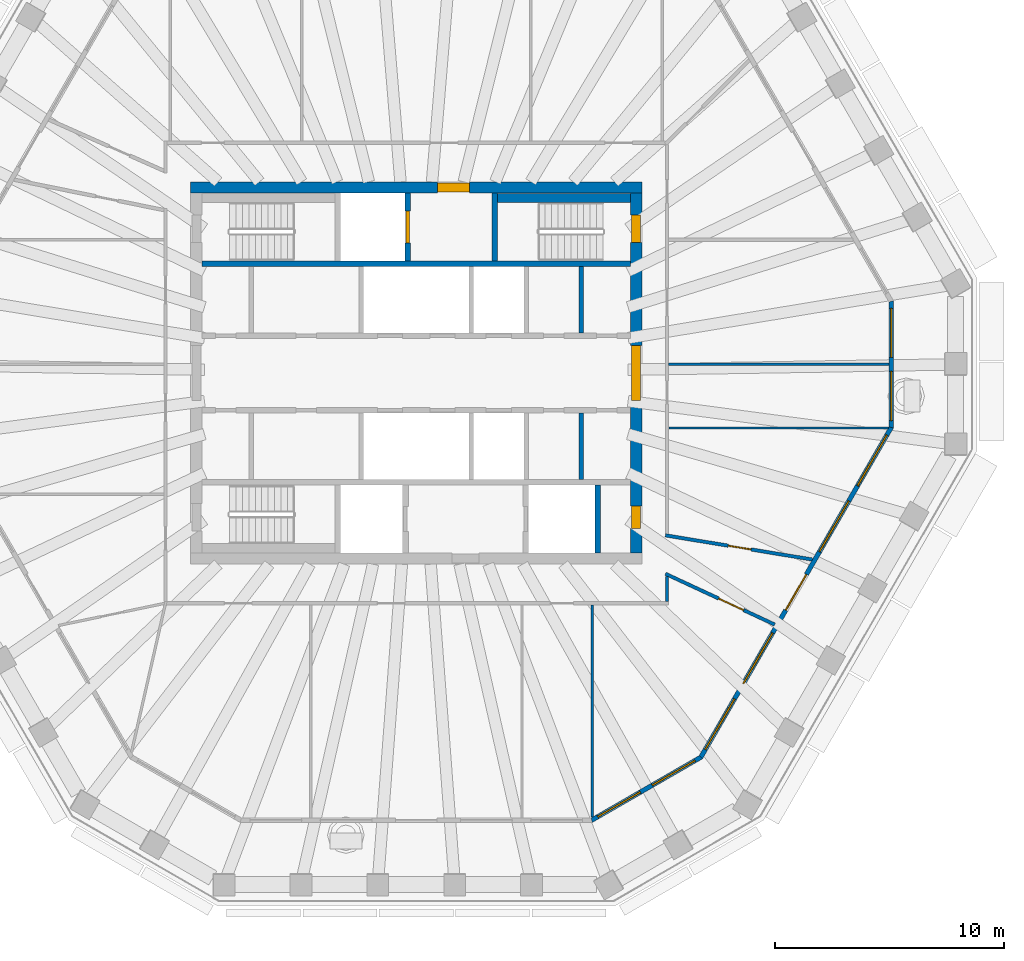
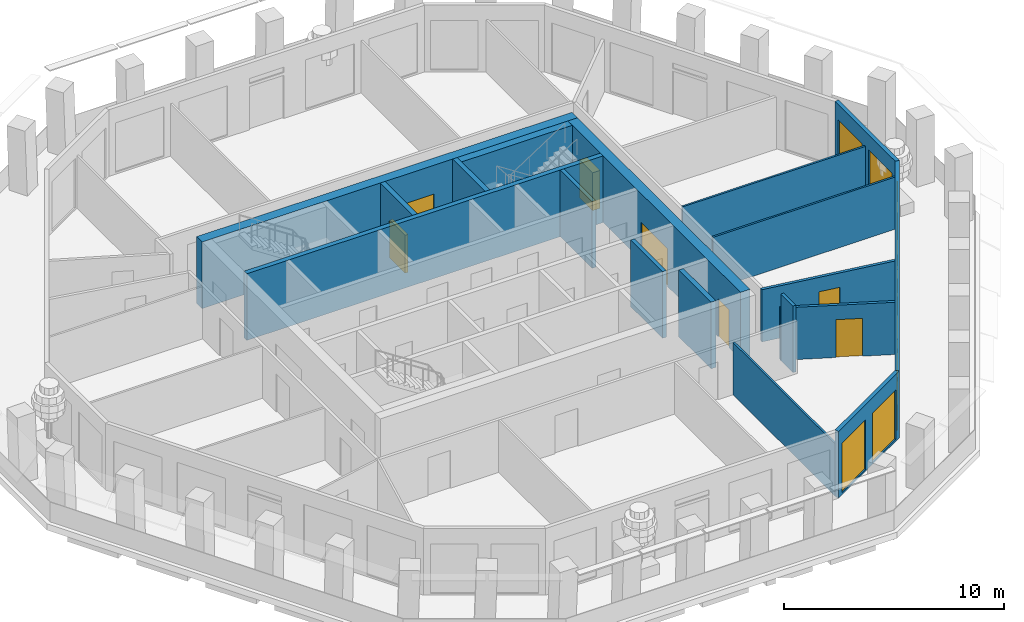
# One storey, part 5 of 11: 18 walls, 9 windows, 8 doors, 17 openings.
"""IFC4 building model written with IfcOpenShell, lengths in metres."""

from ifc_helpers import new_model, si_unit, direction, frame, frame_2d, origin, place, context, subcontext, project, spatial, polyline, rectangle, outline, extrude, material, layer, layer_set, type_object, element, fill, save


model = new_model("IFC4")

# Units and contexts
model_context = context("Model", 3, precision=1e-05, world=origin(), true_north=direction((0.0, 1.0)))
body_context = subcontext(model_context, "Body", "Model", "MODEL_VIEW")
ifc_project = project(units=[si_unit("LENGTHUNIT", "METRE"), si_unit("AREAUNIT", "SQUARE_METRE"), si_unit("VOLUMEUNIT", "CUBIC_METRE"), si_unit("PLANEANGLEUNIT", "RADIAN"), si_unit("MASSUNIT", "GRAM", prefix="KILO")], contexts=[model_context])

# Site, building, storey
site_placement = place(None, origin())
site = spatial("IfcSite", under=ifc_project, at=site_placement, CompositionType="ELEMENT")
building_placement = place(site_placement, origin())
building = spatial("IfcBuilding", under=site, at=building_placement, Name="Frailejon Research Tower", CompositionType="ELEMENT")
storey_placement = place(building_placement, frame((0.0, 0.0, 275.0)))
storey = spatial("IfcBuildingStorey", under=building, at=storey_placement, Name="L60", CompositionType="ELEMENT", Elevation=275.0)

# Wall, opening, door
ifc_material_1 = material(Name="Concrete C50/60", Category="concrete")
ifc_layer_1 = layer(ifc_material_1, 0.5)
ifc_layer_set_1 = layer_set([ifc_layer_1], Name="Core shear wall 500 C50/60")
wall_type_1 = type_object("IfcWallType", Name="Core shear wall 500 C50/60", PredefinedType="SHEAR", material=ifc_layer_set_1)
wall_1_placement = place(storey_placement, frame((-9.85009765625, 8.10009765625, 0.0), z_axis=(0.0, 0.0, 1.0), x_axis=(1.0, 0.0, 0.0)))
wall_1 = element("IfcWall", 1, at=wall_1_placement, inside=storey, type_object=wall_type_1, Name="Core shear wall", PredefinedType="SHEAR", context=body_context, shape_type="SweptSolid", body=[
    extrude(rectangle(XDim=19.7001953125, YDim=0.5, at=frame_2d((9.85009765625, 0.0))), origin(), (0.0, 0.0, 1.0), 3.699951171875),
])
opening_1_placement = place(wall_1_placement, frame((10.77490234375, 0.0, 0.0)))
opening_1 = element("IfcOpeningElement", 2, at=opening_1_placement, cuts=wall_1, Name="Opening D9", PredefinedType="OPENING", context=body_context, shape_type="SweptSolid", body=[
    extrude(rectangle(XDim=1.39990234375, YDim=2.10009765625, at=frame_2d((0.699951171875, 1.050048828125))), frame((0.0, 0.260009765625, 0.0), z_axis=(0.0, -1.0, 0.0), x_axis=(1.0, 0.0, 0.0)), (0.0, 0.0, 1.0), 0.52001953125),
])
ifc_material_2 = material(Name="Steel", Category="steel")
door_type_1 = type_object("IfcDoorType", Name="Goods lobby door", OperationType="DOUBLE_DOOR_SINGLE_SWING", PredefinedType="DOOR", material=ifc_material_2)
door_1_placement = place(opening_1_placement, origin())
door_1 = element("IfcDoor", 3, at=door_1_placement, inside=storey, type_object=door_type_1, Name="Goods lobby door", OperationType="DOUBLE_DOOR_SINGLE_SWING", OverallHeight=2.10009765625, OverallWidth=1.39990234375, PredefinedType="DOOR", context=body_context, shape_type="SweptSolid", body=[
    extrude(rectangle(XDim=1.39990234375, YDim=2.10009765625, at=frame_2d((0.699951171875, 1.050048828125))), frame((0.0, 0.199951171875, 0.0), z_axis=(0.0, -1.0, 0.0), x_axis=(1.0, 0.0, 0.0)), (0.0, 0.0, 1.0), 0.39990234375),
])
fill(opening_1, door_1)

# Wall, openings, doors
wall_2_placement = place(storey_placement, frame((9.60009765625, -7.85009765625, 0.0), z_axis=(0.0, 0.0, 1.0), x_axis=(0.0, 1.0, 0.0)))
wall_2 = element("IfcWall", 4, at=wall_2_placement, inside=storey, type_object=wall_type_1, Name="Core shear wall", PredefinedType="SHEAR", context=body_context, shape_type="SweptSolid", body=[
    extrude(rectangle(XDim=15.7001953125, YDim=0.5, at=frame_2d((7.85009765625, 0.0))), origin(), (0.0, 0.0, 1.0), 3.699951171875),
])
opening_2_placement = place(wall_2_placement, frame((6.64990234375, 0.0, 0.0)))
opening_2 = element("IfcOpeningElement", 5, at=opening_2_placement, cuts=wall_2, Name="Opening D2", PredefinedType="OPENING", context=body_context, shape_type="SweptSolid", body=[
    extrude(rectangle(XDim=2.39990234375, YDim=2.10009765625, at=frame_2d((1.199951171875, 1.050048828125))), frame((0.0, 0.260009765625, 0.0), z_axis=(0.0, -1.0, 0.0), x_axis=(1.0, 0.0, 0.0)), (0.0, 0.0, 1.0), 0.52001953125),
])
opening_3_placement = place(wall_2_placement, frame((13.550048828125, 0.0, 0.0)))
opening_3 = element("IfcOpeningElement", 6, at=opening_3_placement, cuts=wall_2, Name="Opening D1", PredefinedType="OPENING", context=body_context, shape_type="SweptSolid", body=[
    extrude(rectangle(XDim=1.199951171875, YDim=2.10009765625, at=frame_2d((0.60009765625, 1.050048828125))), frame((0.0, 0.260009765625, 0.0), z_axis=(0.0, -1.0, 0.0), x_axis=(1.0, 0.0, 0.0)), (0.0, 0.0, 1.0), 0.52001953125),
])
opening_4_placement = place(wall_2_placement, frame((1.050048828125, 0.0, 0.0)))
opening_4 = element("IfcOpeningElement", 7, at=opening_4_placement, cuts=wall_2, Name="Opening D4", PredefinedType="OPENING", context=body_context, shape_type="SweptSolid", body=[
    extrude(rectangle(XDim=1.0, YDim=2.10009765625, at=frame_2d((0.5, 1.050048828125))), frame((0.0, 0.260009765625, 0.0), z_axis=(0.0, -1.0, 0.0), x_axis=(1.0, 0.0, 0.0)), (0.0, 0.0, 1.0), 0.52001953125),
])
ifc_material_3 = material(Name="Steel", Category="steel")
door_type_2 = type_object("IfcDoorType", Name="Lobby double door", OperationType="DOUBLE_DOOR_SINGLE_SWING", PredefinedType="DOOR", material=ifc_material_3)
door_2_placement = place(opening_2_placement, origin())
door_2 = element("IfcDoor", 8, at=door_2_placement, inside=storey, type_object=door_type_2, Name="Lobby door", OperationType="DOUBLE_DOOR_SINGLE_SWING", OverallHeight=2.10009765625, OverallWidth=2.39990234375, PredefinedType="DOOR", context=body_context, shape_type="SweptSolid", body=[
    extrude(rectangle(XDim=2.39990234375, YDim=2.10009765625, at=frame_2d((1.199951171875, 1.050048828125))), frame((0.0, 0.199951171875, 0.0), z_axis=(0.0, -1.0, 0.0), x_axis=(1.0, 0.0, 0.0)), (0.0, 0.0, 1.0), 0.39990234375),
])
fill(opening_2, door_2)
ifc_material_4 = material(Name="Steel", Category="steel")
door_type_3 = type_object("IfcDoorType", Name="Service door", OperationType="SINGLE_SWING_LEFT", PredefinedType="DOOR", material=ifc_material_4)
door_3_placement = place(opening_4_placement, origin())
door_3 = element("IfcDoor", 9, at=door_3_placement, inside=storey, type_object=door_type_3, Name="Riser door", OperationType="SINGLE_SWING_LEFT", OverallHeight=2.10009765625, OverallWidth=1.0, PredefinedType="DOOR", context=body_context, shape_type="SweptSolid", body=[
    extrude(rectangle(XDim=1.0, YDim=2.10009765625, at=frame_2d((0.5, 1.050048828125))), frame((0.0, 0.199951171875, 0.0), z_axis=(0.0, -1.0, 0.0), x_axis=(1.0, 0.0, 0.0)), (0.0, 0.0, 1.0), 0.39990234375),
])
fill(opening_4, door_3)
ifc_material_5 = material(Name="Steel", Category="steel")
door_type_4 = type_object("IfcDoorType", Name="Stair door", OperationType="SINGLE_SWING_LEFT", PredefinedType="DOOR", material=ifc_material_5)
door_4_placement = place(opening_3_placement, origin())
door_4 = element("IfcDoor", 10, at=door_4_placement, inside=storey, type_object=door_type_4, Name="Stair door ST3", OperationType="SINGLE_SWING_RIGHT", OverallHeight=2.10009765625, OverallWidth=1.199951171875, PredefinedType="DOOR", context=body_context, shape_type="SweptSolid", body=[
    extrude(rectangle(XDim=1.199951171875, YDim=2.10009765625, at=frame_2d((0.60009765625, 1.050048828125))), frame((0.0, 0.199951171875, 0.0), z_axis=(0.0, -1.0, 0.0), x_axis=(1.0, 0.0, 0.0)), (0.0, 0.0, 1.0), 0.39990234375),
])
fill(opening_3, door_4)

# Wall
ifc_material_6 = material(Name="Gypsum board and masonry partition", Category="masonry")
ifc_layer_2 = layer(ifc_material_6, 0.14990234375)
ifc_layer_set_2 = layer_set([ifc_layer_2], Name="Corridor wall EI 60, gypsum on steel studs 150")
wall_type_2 = type_object("IfcWallType", Name="Corridor wall EI 60, gypsum on steel studs 150", PredefinedType="PARTITIONING", material=ifc_layer_set_2)
wall_3_placement = place(storey_placement, frame((10.949951171875, -9.97509765625, 0.0), z_axis=(0.0, 0.0, 1.0), x_axis=(0.0, 1.0, 0.0)))
element("IfcWall", 11, at=wall_3_placement, inside=storey, type_object=wall_type_2, Name="T:IW:L60:003", PredefinedType="PARTITIONING", context=body_context, shape_type="SweptSolid", body=[
    extrude(rectangle(XDim=1.10009765625, YDim=0.14990234375, at=frame_2d((0.550048828125, 0.0))), origin(), (0.0, 0.0, 1.0), 3.699951171875),
])

# Wall, opening, door
wall_4_placement = place(storey_placement, frame((10.882080078125, -8.768310546875, 0.0), z_axis=(0.0, 0.0, 1.0), x_axis=(0.906943772509, -0.421251698521, 0.0)))
wall_4 = element("IfcWall", 12, at=wall_4_placement, inside=storey, type_object=wall_type_2, Name="T:IW:L60:009", PredefinedType="PARTITIONING", context=body_context, shape_type="SweptSolid", body=[
    extrude(rectangle(XDim=5.262451171875, YDim=0.14990234375, at=frame_2d((2.63134765625, 0.0))), origin(), (0.0, 0.0, 1.0), 2.89990234375),
])
opening_5_placement = place(wall_4_placement, frame((2.561767578125, 0.0, 0.0)))
opening_5 = element("IfcOpeningElement", 13, at=opening_5_placement, cuts=wall_4, Name="Opening D2166", PredefinedType="OPENING", context=body_context, shape_type="SweptSolid", body=[
    extrude(rectangle(XDim=1.199951171875, YDim=2.10009765625, at=frame_2d((0.60009765625, 1.050048828125))), frame((0.0, 0.0849609375, 0.0), z_axis=(0.0, -1.0, 0.0), x_axis=(1.0, 0.0, 0.0)), (0.0, 0.0, 1.0), 0.169921875),
])
ifc_material_7 = material(Name="Timber door leaf", Category="wood")
door_type_5 = type_object("IfcDoorType", Name="Door single leaf, timber, steel frame 1200", OperationType="NOTDEFINED", PredefinedType="DOOR", material=ifc_material_7)
door_5_placement = place(opening_5_placement, origin())
door_5 = element("IfcDoor", 14, at=door_5_placement, inside=storey, type_object=door_type_5, Name="D2166", OperationType="DOUBLE_DOOR_SINGLE_SWING", OverallHeight=2.10009765625, OverallWidth=1.199951171875, PredefinedType="DOOR", context=body_context, shape_type="SweptSolid", body=[
    extrude(rectangle(XDim=1.199951171875, YDim=2.10009765625, at=frame_2d((0.60009765625, 1.050048828125))), frame((0.0, 0.02490234375, 0.0), z_axis=(0.0, -1.0, 0.0), x_axis=(1.0, 0.0, 0.0)), (0.0, 0.0, 1.0), 0.050048828125),
])
fill(opening_5, door_5)

wall_5_placement = place(storey_placement, frame((10.8759765625, -7.087890625, 0.0), z_axis=(0.0, 0.0, 1.0), x_axis=(0.986693542392, -0.162591061875, 0.0)))
wall_5 = element("IfcWall", 15, at=wall_5_placement, inside=storey, type_object=wall_type_2, Name="T:IW:L60:010", PredefinedType="PARTITIONING", context=body_context, shape_type="SweptSolid", body=[
    extrude(rectangle(XDim=6.5048828125, YDim=0.14990234375, at=frame_2d((3.25244140625, 0.0))), origin(), (0.0, 0.0, 1.0), 2.89990234375),
])
opening_6_placement = place(wall_5_placement, frame((2.789794921875, 0.0, 0.0)))
opening_6 = element("IfcOpeningElement", 16, at=opening_6_placement, cuts=wall_5, Name="Opening D2167", PredefinedType="OPENING", context=body_context, shape_type="SweptSolid", body=[
    extrude(rectangle(XDim=1.0, YDim=2.10009765625, at=frame_2d((0.5, 1.050048828125))), frame((0.0, 0.0849609375, 0.0), z_axis=(0.0, -1.0, 0.0), x_axis=(1.0, 0.0, 0.0)), (0.0, 0.0, 1.0), 0.169921875),
])
ifc_material_8 = material(Name="Timber door leaf", Category="wood")
door_type_6 = type_object("IfcDoorType", Name="Door single leaf, timber, steel frame 1000", OperationType="NOTDEFINED", PredefinedType="DOOR", material=ifc_material_8)
door_6_placement = place(opening_6_placement, origin())
door_6 = element("IfcDoor", 17, at=door_6_placement, inside=storey, type_object=door_type_6, Name="D2167", OperationType="SINGLE_SWING_LEFT", OverallHeight=2.10009765625, OverallWidth=1.0, PredefinedType="DOOR", context=body_context, shape_type="SweptSolid", body=[
    extrude(rectangle(XDim=1.0, YDim=2.10009765625, at=frame_2d((0.5, 1.050048828125))), frame((0.0, 0.02490234375, 0.0), z_axis=(0.0, -1.0, 0.0), x_axis=(1.0, 0.0, 0.0)), (0.0, 0.0, 1.0), 0.050048828125),
])
fill(opening_6, door_6)

# Walls
ifc_material_9 = material(Name="Gypsum board and masonry partition", Category="masonry")
ifc_layer_3 = layer(ifc_material_9, 0.10009765625)
ifc_layer_set_3 = layer_set([ifc_layer_3], Name="Partition, gypsum on steel studs 100")
wall_type_3 = type_object("IfcWallType", Name="Partition, gypsum on steel studs 100", PredefinedType="PARTITIONING", material=ifc_layer_set_3)
wall_6_placement = place(storey_placement, frame((11.02490234375, 0.377197265625, 0.0), z_axis=(0.0, 0.0, 1.0), x_axis=(1.0, 0.0, 0.0)))
element("IfcWall", 18, at=wall_6_placement, inside=storey, type_object=wall_type_3, Name="T:IW:L60:014", PredefinedType="PARTITIONING", context=body_context, shape_type="SweptSolid", body=[
    extrude(rectangle(XDim=9.61669921875, YDim=0.10009765625, at=frame_2d((4.808349609375, 0.0))), origin(), (0.0, 0.0, 1.0), 2.89990234375),
])
wall_7_placement = place(storey_placement, frame((7.68798828125, -19.396240234375, 0.0), z_axis=(0.0, 0.0, 1.0), x_axis=(0.0, 1.0, 0.0)))
element("IfcWall", 19, at=wall_7_placement, inside=storey, type_object=wall_type_3, Name="T:IW:L60:025", PredefinedType="PARTITIONING", context=body_context, shape_type="SweptSolid", body=[
    extrude(rectangle(XDim=9.271240234375, YDim=0.10009765625, at=frame_2d((4.6357421875, 0.0))), origin(), (0.0, 0.0, 1.0), 2.89990234375),
])
wall_8_placement = place(storey_placement, frame((11.02490234375, -2.4013671875, 0.0), z_axis=(0.0, 0.0, 1.0), x_axis=(1.0, 0.0, 0.0)))
element("IfcWall", 20, at=wall_8_placement, inside=storey, type_object=wall_type_3, Name="T:IW:L60:026", PredefinedType="PARTITIONING", context=body_context, shape_type="SweptSolid", body=[
    extrude(rectangle(XDim=9.585693359375, YDim=0.10009765625, at=frame_2d((4.79296875, 0.0))), origin(), (0.0, 0.0, 1.0), 2.89990234375),
])
ifc_material_10 = material(Name="Concrete C50/60", Category="concrete")
ifc_layer_4 = layer(ifc_material_10, 0.199951171875)
ifc_layer_set_4 = layer_set([ifc_layer_4], Name="Shaft wall 200 C50/60")
wall_type_4 = type_object("IfcWallType", Name="Shaft wall 200 C50/60", PredefinedType="SOLIDWALL", material=ifc_layer_set_4)
for number, where, z_axis, x_axis, name in (
    (21, (7.199951171875, 1.75, 0.0), (0.0, 0.0, 1.0), (0.0, 1.0, 0.0), "Shaft wall"),
    (22, (7.199951171875, -4.64990234375, 0.0), (0.0, 0.0, 1.0), (0.0, 1.0, 0.0), "Shaft wall"),
):
    element("IfcWall", number, at=place(storey_placement, frame(where, z_axis=z_axis, x_axis=x_axis)), inside=storey, type_object=wall_type_4, Name=name, PredefinedType="SOLIDWALL", context=body_context, shape_type="SweptSolid", body=[
        extrude(rectangle(XDim=2.89990234375, YDim=0.199951171875, at=frame_2d((1.449951171875, 0.0))), origin(), (0.0, 0.0, 1.0), 3.699951171875),
    ])
ifc_material_11 = material(Name="Concrete C50/60", Category="concrete")
ifc_layer_5 = layer(ifc_material_11, 0.25)
ifc_layer_set_5 = layer_set([ifc_layer_5], Name="Shaft wall 250 C50/60")
wall_type_5 = type_object("IfcWallType", Name="Shaft wall 250 C50/60", PredefinedType="SOLIDWALL", material=ifc_layer_set_5)
wall_9_placement = place(storey_placement, frame((-9.35009765625, 4.77490234375, 0.0), z_axis=(0.0, 0.0, 1.0), x_axis=(1.0, 0.0, 0.0)))
element("IfcWall", 23, at=wall_9_placement, inside=storey, type_object=wall_type_5, Name="Shaft wall", PredefinedType="SOLIDWALL", context=body_context, shape_type="SweptSolid", body=[
    extrude(rectangle(XDim=18.7001953125, YDim=0.25, at=frame_2d((9.35009765625, 0.0))), origin(), (0.0, 0.0, 1.0), 3.699951171875),
])

# Wall, opening, door
wall_10_placement = place(storey_placement, frame((-0.375, 4.89990234375, 0.0), z_axis=(0.0, 0.0, 1.0), x_axis=(0.0, 1.0, 0.0)))
wall_10 = element("IfcWall", 24, at=wall_10_placement, inside=storey, type_object=wall_type_5, Name="Shaft wall", PredefinedType="SOLIDWALL", context=body_context, shape_type="SweptSolid", body=[
    extrude(rectangle(XDim=2.9501953125, YDim=0.25, at=frame_2d((1.47509765625, 0.0))), origin(), (0.0, 0.0, 1.0), 3.699951171875),
])
opening_7_placement = place(wall_10_placement, frame((0.77490234375, 0.0, 0.0)))
opening_7 = element("IfcOpeningElement", 25, at=opening_7_placement, cuts=wall_10, Name="Opening LD2", PredefinedType="OPENING", context=body_context, shape_type="SweptSolid", body=[
    extrude(rectangle(XDim=1.39990234375, YDim=2.10009765625, at=frame_2d((0.699951171875, 1.050048828125))), frame((0.0, 0.135009765625, 0.0), z_axis=(0.0, -1.0, 0.0), x_axis=(1.0, 0.0, 0.0)), (0.0, 0.0, 1.0), 0.27001953125),
])
ifc_material_12 = material(Name="Stainless steel", Category="steel")
door_type_7 = type_object("IfcDoorType", Name="Goods landing door", OperationType="DOUBLE_DOOR_SLIDING", PredefinedType="DOOR", material=ifc_material_12)
door_7_placement = place(opening_7_placement, origin())
door_7 = element("IfcDoor", 26, at=door_7_placement, inside=storey, type_object=door_type_7, Name="Lift landing door", OperationType="DOUBLE_DOOR_SLIDING", OverallHeight=2.10009765625, OverallWidth=1.39990234375, PredefinedType="DOOR", context=body_context, shape_type="SweptSolid", body=[
    extrude(rectangle(XDim=1.39990234375, YDim=2.10009765625, at=frame_2d((0.699951171875, 1.050048828125))), frame((0.0, 0.074951171875, 0.0), z_axis=(0.0, -1.0, 0.0), x_axis=(1.0, 0.0, 0.0)), (0.0, 0.0, 1.0), 0.14990234375),
])
fill(opening_7, door_7)

# Walls
for number, where, z_axis, x_axis, name in (
    (27, (3.425048828125, 4.89990234375, 0.0), (0.0, 0.0, 1.0), (0.0, 1.0, 0.0), "Shaft wall"),
    (28, (7.925048828125, -7.85009765625, 0.0), (0.0, 0.0, 1.0), (0.0, 1.0, 0.0), "Shaft wall"),
):
    element("IfcWall", number, at=place(storey_placement, frame(where, z_axis=z_axis, x_axis=x_axis)), inside=storey, type_object=wall_type_5, Name=name, PredefinedType="SOLIDWALL", context=body_context, shape_type="SweptSolid", body=[
        extrude(rectangle(XDim=2.9501953125, YDim=0.25, at=frame_2d((1.47509765625, 0.0))), origin(), (0.0, 0.0, 1.0), 3.699951171875),
    ])
ifc_material_13 = material(Name="Concrete C50/60", Category="concrete")
ifc_layer_6 = layer(ifc_material_13, 0.39990234375)
ifc_layer_set_6 = layer_set([ifc_layer_6], Name="Shaft wall 400 C50/60")
wall_type_6 = type_object("IfcWallType", Name="Shaft wall 400 C50/60", PredefinedType="SOLIDWALL", material=ifc_layer_set_6)
wall_11_placement = place(storey_placement, frame((3.550048828125, 7.64990234375, 0.0), z_axis=(0.0, 0.0, 1.0), x_axis=(1.0, 0.0, 0.0)))
element("IfcWall", 29, at=wall_11_placement, inside=storey, type_object=wall_type_6, Name="Shaft wall", PredefinedType="SOLIDWALL", context=body_context, shape_type="SweptSolid", body=[
    extrude(rectangle(XDim=5.800048828125, YDim=0.39990234375, at=frame_2d((2.89990234375, 0.0))), origin(), (0.0, 0.0, 1.0), 3.699951171875),
])

# Wall, openings, windows
ifc_material_14 = material(Name="Concrete C40/50 precast window wall panel", Category="concrete")
ifc_layer_7 = layer(ifc_material_14, 0.199951171875)
ifc_layer_set_7 = layer_set([ifc_layer_7], Name="Window wall 200")
wall_type_7 = type_object("IfcWallType", Name="Window wall 200", PredefinedType="SOLIDWALL", material=ifc_layer_set_7)
wall_12_placement = place(storey_placement, frame((20.741455078125, -2.37451171875, 0.0), z_axis=(0.0, 0.0, 1.0), x_axis=(0.0, 1.0, 0.0)))
wall_12 = element("IfcWall", 30, at=wall_12_placement, inside=storey, type_object=wall_type_7, Name="Exterior wall L60", PredefinedType="SOLIDWALL", context=body_context, shape_type="SweptSolid", body=[
    extrude(outline(polyline([(-0.02685546875, -0.10009765625), (1.08447265625, -0.10009765625), (2.196044921875, -0.10009765625), (3.307373046875, -0.10009765625), (4.4189453125, -0.10009765625), (5.5302734375, -0.10009765625), (5.4765625, 0.10009765625), (4.38671875, 0.10009765625), (3.296630859375, 0.10009765625), (2.206787109375, 0.10009765625), (1.11669921875, 0.10009765625), (0.02685546875, 0.10009765625), (-0.02685546875, -0.10009765625)])), origin(), (0.0, 0.0, 1.0), 3.699951171875),
])
opening_8_placement = place(wall_12_placement, frame((0.30078125, 0.0, 0.10009765625)))
opening_8 = element("IfcOpeningElement", 31, at=opening_8_placement, cuts=wall_12, Name="Opening W22", PredefinedType="OPENING", context=body_context, shape_type="SweptSolid", body=[
    extrude(rectangle(XDim=2.14990234375, YDim=2.75, at=frame_2d((1.074951171875, 1.375))), frame((0.0, 0.10986328125, 0.0), z_axis=(0.0, -1.0, 0.0), x_axis=(1.0, 0.0, 0.0)), (0.0, 0.0, 1.0), 0.219970703125),
])
opening_9_placement = place(wall_12_placement, frame((3.052490234375, 0.0, 0.10009765625)))
opening_9 = element("IfcOpeningElement", 32, at=opening_9_placement, cuts=wall_12, Name="Opening W22", PredefinedType="OPENING", context=body_context, shape_type="SweptSolid", body=[
    extrude(rectangle(XDim=2.14990234375, YDim=2.75, at=frame_2d((1.074951171875, 1.375))), frame((0.0, 0.10986328125, 0.0), z_axis=(0.0, -1.0, 0.0), x_axis=(1.0, 0.0, 0.0)), (0.0, 0.0, 1.0), 0.219970703125),
])
ifc_material_15 = material(Name="Aluminium framed double glazing", Category="aluminium")
window_type_1 = type_object("IfcWindowType", Name="Window 2150x2750", PartitioningType="SINGLE_PANEL", PredefinedType="WINDOW", material=ifc_material_15)
window_1_placement = place(opening_8_placement, origin())
window_1 = element("IfcWindow", 33, at=window_1_placement, inside=storey, type_object=window_type_1, Name="Window L60", OverallHeight=2.75, OverallWidth=2.14990234375, PartitioningType="SINGLE_PANEL", PredefinedType="WINDOW", context=body_context, shape_type="SweptSolid", body=[
    extrude(rectangle(XDim=2.14990234375, YDim=2.75, at=frame_2d((1.074951171875, 1.375))), frame((0.0, 0.030029296875, 0.0), z_axis=(0.0, -1.0, 0.0), x_axis=(1.0, 0.0, 0.0)), (0.0, 0.0, 1.0), 0.06005859375),
])
fill(opening_8, window_1)
window_2_placement = place(opening_9_placement, origin())
window_2 = element("IfcWindow", 34, at=window_2_placement, inside=storey, type_object=window_type_1, Name="Window L60", OverallHeight=2.75, OverallWidth=2.14990234375, PartitioningType="SINGLE_PANEL", PredefinedType="WINDOW", context=body_context, shape_type="SweptSolid", body=[
    extrude(rectangle(XDim=2.14990234375, YDim=2.75, at=frame_2d((1.074951171875, 1.375))), frame((0.0, 0.030029296875, 0.0), z_axis=(0.0, -1.0, 0.0), x_axis=(1.0, 0.0, 0.0)), (0.0, 0.0, 1.0), 0.06005859375),
])
fill(opening_9, window_2)

wall_13_placement = place(storey_placement, frame((7.6611328125, -19.527099609375, 0.0), z_axis=(0.0, 0.0, 1.0), x_axis=(0.866026017613, 0.499998936816, 0.0)))
wall_13 = element("IfcWall", 35, at=wall_13_placement, inside=storey, type_object=wall_type_7, Name="Exterior wall L60", PredefinedType="SOLIDWALL", context=body_context, shape_type="SweptSolid", body=[
    extrude(outline(polyline([(-0.02685546875, -0.10009765625), (1.08447265625, -0.10009765625), (2.196044921875, -0.10009765625), (3.307373046875, -0.10009765625), (4.4189453125, -0.10009765625), (5.5302734375, -0.10009765625), (5.4765625, 0.10009765625), (4.38671875, 0.10009765625), (3.296630859375, 0.10009765625), (2.206787109375, 0.10009765625), (1.11669921875, 0.10009765625), (0.02685546875, 0.10009765625), (-0.02685546875, -0.10009765625)])), origin(), (0.0, 0.0, 1.0), 3.699951171875),
])
opening_10_placement = place(wall_13_placement, frame((0.30078125, 0.0, 0.10009765625)))
opening_10 = element("IfcOpeningElement", 36, at=opening_10_placement, cuts=wall_13, Name="Opening W22", PredefinedType="OPENING", context=body_context, shape_type="SweptSolid", body=[
    extrude(rectangle(XDim=2.14990234375, YDim=2.75, at=frame_2d((1.074951171875, 1.375))), frame((0.0, 0.10986328125, 0.0), z_axis=(0.0, -1.0, 0.0), x_axis=(1.0, 0.0, 0.0)), (0.0, 0.0, 1.0), 0.219970703125),
])
opening_11_placement = place(wall_13_placement, frame((3.052490234375, 0.0, 0.10009765625)))
opening_11 = element("IfcOpeningElement", 37, at=opening_11_placement, cuts=wall_13, Name="Opening W22", PredefinedType="OPENING", context=body_context, shape_type="SweptSolid", body=[
    extrude(rectangle(XDim=2.14990234375, YDim=2.75, at=frame_2d((1.074951171875, 1.375))), frame((0.0, 0.10986328125, 0.0), z_axis=(0.0, -1.0, 0.0), x_axis=(1.0, 0.0, 0.0)), (0.0, 0.0, 1.0), 0.219970703125),
])
window_3_placement = place(opening_10_placement, origin())
window_3 = element("IfcWindow", 38, at=window_3_placement, inside=storey, type_object=window_type_1, Name="Window L60", OverallHeight=2.75, OverallWidth=2.14990234375, PartitioningType="SINGLE_PANEL", PredefinedType="WINDOW", context=body_context, shape_type="SweptSolid", body=[
    extrude(rectangle(XDim=2.14990234375, YDim=2.75, at=frame_2d((1.074951171875, 1.375))), frame((0.0, 0.030029296875, 0.0), z_axis=(0.0, -1.0, 0.0), x_axis=(1.0, 0.0, 0.0)), (0.0, 0.0, 1.0), 0.06005859375),
])
fill(opening_10, window_3)
window_4_placement = place(opening_11_placement, origin())
window_4 = element("IfcWindow", 39, at=window_4_placement, inside=storey, type_object=window_type_1, Name="Window L60", OverallHeight=2.75, OverallWidth=2.14990234375, PartitioningType="SINGLE_PANEL", PredefinedType="WINDOW", context=body_context, shape_type="SweptSolid", body=[
    extrude(rectangle(XDim=2.14990234375, YDim=2.75, at=frame_2d((1.074951171875, 1.375))), frame((0.0, 0.030029296875, 0.0), z_axis=(0.0, -1.0, 0.0), x_axis=(1.0, 0.0, 0.0)), (0.0, 0.0, 1.0), 0.06005859375),
])
fill(opening_11, window_4)

# Wall, openings, door, windows
wall_14_placement = place(storey_placement, frame((12.42724609375, -16.775390625, 0.0), z_axis=(0.0, 0.0, 1.0), x_axis=(0.499993580544, 0.866029110027, 0.0)))
wall_14 = element("IfcWall", 40, at=wall_14_placement, inside=storey, type_object=wall_type_7, Name="Exterior wall L60", PredefinedType="SOLIDWALL", context=body_context, shape_type="SweptSolid", body=[
    extrude(outline(polyline([(-0.02685546875, -0.10009765625), (1.015869140625, -0.10009765625), (2.058349609375, -0.10009765625), (3.10107421875, -0.10009765625), (4.143798828125, -0.10009765625), (5.186279296875, -0.10009765625), (6.22900390625, -0.10009765625), (7.271728515625, -0.10009765625), (8.314453125, -0.10009765625), (9.35693359375, -0.10009765625), (10.399658203125, -0.10009765625), (11.4423828125, -0.10009765625), (12.48486328125, -0.10009765625), (13.527587890625, -0.10009765625), (14.5703125, -0.10009765625), (15.61279296875, -0.10009765625), (16.655517578125, -0.10009765625), (16.601806640625, 0.10009765625), (15.56591796875, 0.10009765625), (14.530029296875, 0.10009765625), (13.493896484375, 0.10009765625), (12.4580078125, 0.10009765625), (11.422119140625, 0.10009765625), (10.38623046875, 0.10009765625), (9.350341796875, 0.10009765625), (8.314453125, 0.10009765625), (7.2783203125, 0.10009765625), (6.242431640625, 0.10009765625), (5.20654296875, 0.10009765625), (4.170654296875, 0.10009765625), (3.134765625, 0.10009765625), (2.0986328125, 0.10009765625), (1.062744140625, 0.10009765625), (0.02685546875, 0.10009765625), (-0.02685546875, -0.10009765625)])), origin(), (0.0, 0.0, 1.0), 3.699951171875),
])
opening_12_placement = place(wall_14_placement, frame((0.387939453125, 0.0, 0.10009765625)))
opening_12 = element("IfcOpeningElement", 41, at=opening_12_placement, cuts=wall_14, Name="Opening W25", PredefinedType="OPENING", context=body_context, shape_type="SweptSolid", body=[
    extrude(rectangle(XDim=2.550048828125, YDim=2.75, at=frame_2d((1.27490234375, 1.375))), frame((0.0, 0.10986328125, 0.0), z_axis=(0.0, -1.0, 0.0), x_axis=(1.0, 0.0, 0.0)), (0.0, 0.0, 1.0), 0.219970703125),
])
opening_13_placement = place(wall_14_placement, frame((3.713623046875, 0.0, 0.10009765625)))
opening_13 = element("IfcOpeningElement", 42, at=opening_13_placement, cuts=wall_14, Name="Opening W25", PredefinedType="OPENING", context=body_context, shape_type="SweptSolid", body=[
    extrude(rectangle(XDim=2.550048828125, YDim=2.75, at=frame_2d((1.27490234375, 1.375))), frame((0.0, 0.10986328125, 0.0), z_axis=(0.0, -1.0, 0.0), x_axis=(1.0, 0.0, 0.0)), (0.0, 0.0, 1.0), 0.219970703125),
])
opening_14_placement = place(wall_14_placement, frame((7.414306640625, 0.0, 0.0)))
opening_14 = element("IfcOpeningElement", 43, at=opening_14_placement, cuts=wall_14, Name="Opening LG60-6", PredefinedType="OPENING", context=body_context, shape_type="SweptSolid", body=[
    extrude(rectangle(XDim=1.800048828125, YDim=2.39990234375, at=frame_2d((0.89990234375, 1.199951171875))), frame((0.0, 0.10986328125, 0.0), z_axis=(0.0, -1.0, 0.0), x_axis=(1.0, 0.0, 0.0)), (0.0, 0.0, 1.0), 0.219970703125),
])
opening_15_placement = place(wall_14_placement, frame((7.414306640625, 0.0, 2.550048828125)))
opening_15 = element("IfcOpeningElement", 44, at=opening_15_placement, cuts=wall_14, Name="Opening W24", PredefinedType="OPENING", context=body_context, shape_type="SweptSolid", body=[
    extrude(rectangle(XDim=1.800048828125, YDim=0.300048828125, at=frame_2d((0.89990234375, 0.14990234375))), frame((0.0, 0.10986328125, 0.0), z_axis=(0.0, -1.0, 0.0), x_axis=(1.0, 0.0, 0.0)), (0.0, 0.0, 1.0), 0.219970703125),
])
opening_16_placement = place(wall_14_placement, frame((10.364990234375, 0.0, 0.10009765625)))
opening_16 = element("IfcOpeningElement", 45, at=opening_16_placement, cuts=wall_14, Name="Opening W25", PredefinedType="OPENING", context=body_context, shape_type="SweptSolid", body=[
    extrude(rectangle(XDim=2.550048828125, YDim=2.75, at=frame_2d((1.27490234375, 1.375))), frame((0.0, 0.10986328125, 0.0), z_axis=(0.0, -1.0, 0.0), x_axis=(1.0, 0.0, 0.0)), (0.0, 0.0, 1.0), 0.219970703125),
])
opening_17_placement = place(wall_14_placement, frame((13.69091796875, 0.0, 0.10009765625)))
opening_17 = element("IfcOpeningElement", 46, at=opening_17_placement, cuts=wall_14, Name="Opening W25", PredefinedType="OPENING", context=body_context, shape_type="SweptSolid", body=[
    extrude(rectangle(XDim=2.550048828125, YDim=2.75, at=frame_2d((1.27490234375, 1.375))), frame((0.0, 0.10986328125, 0.0), z_axis=(0.0, -1.0, 0.0), x_axis=(1.0, 0.0, 0.0)), (0.0, 0.0, 1.0), 0.219970703125),
])
ifc_material_16 = material(Name="Aluminium framed glazed door leaf", Category="aluminium")
door_type_8 = type_object("IfcDoorType", Name="Loggia door 1800x2400", OperationType="DOUBLE_DOOR_SINGLE_SWING", PredefinedType="DOOR", material=ifc_material_16)
door_8_placement = place(opening_14_placement, origin())
door_8 = element("IfcDoor", 47, at=door_8_placement, inside=storey, type_object=door_type_8, Name="Door LG60-6", OperationType="DOUBLE_DOOR_SINGLE_SWING", OverallHeight=2.39990234375, OverallWidth=1.800048828125, PredefinedType="DOOR", context=body_context, shape_type="SweptSolid", body=[
    extrude(rectangle(XDim=1.800048828125, YDim=2.39990234375, at=frame_2d((0.89990234375, 1.199951171875))), frame((0.0, 0.02490234375, 0.0), z_axis=(0.0, -1.0, 0.0), x_axis=(1.0, 0.0, 0.0)), (0.0, 0.0, 1.0), 0.050048828125),
])
fill(opening_14, door_8)
ifc_material_17 = material(Name="Aluminium framed double glazing", Category="aluminium")
window_type_2 = type_object("IfcWindowType", Name="Window 1800x300", PartitioningType="SINGLE_PANEL", PredefinedType="WINDOW", material=ifc_material_17)
window_5_placement = place(opening_15_placement, origin())
window_5 = element("IfcWindow", 48, at=window_5_placement, inside=storey, type_object=window_type_2, Name="Window L60", OverallHeight=0.300048828125, OverallWidth=1.800048828125, PartitioningType="SINGLE_PANEL", PredefinedType="WINDOW", context=body_context, shape_type="SweptSolid", body=[
    extrude(rectangle(XDim=1.800048828125, YDim=0.300048828125, at=frame_2d((0.89990234375, 0.14990234375))), frame((0.0, 0.030029296875, 0.0), z_axis=(0.0, -1.0, 0.0), x_axis=(1.0, 0.0, 0.0)), (0.0, 0.0, 1.0), 0.06005859375),
])
fill(opening_15, window_5)
ifc_material_18 = material(Name="Aluminium framed double glazing", Category="aluminium")
window_type_3 = type_object("IfcWindowType", Name="Window 2550x2750", PartitioningType="SINGLE_PANEL", PredefinedType="WINDOW", material=ifc_material_18)
window_6_placement = place(opening_12_placement, origin())
window_6 = element("IfcWindow", 49, at=window_6_placement, inside=storey, type_object=window_type_3, Name="Window L60", OverallHeight=2.75, OverallWidth=2.550048828125, PartitioningType="SINGLE_PANEL", PredefinedType="WINDOW", context=body_context, shape_type="SweptSolid", body=[
    extrude(rectangle(XDim=2.550048828125, YDim=2.75, at=frame_2d((1.27490234375, 1.375))), frame((0.0, 0.030029296875, 0.0), z_axis=(0.0, -1.0, 0.0), x_axis=(1.0, 0.0, 0.0)), (0.0, 0.0, 1.0), 0.06005859375),
])
fill(opening_12, window_6)
window_7_placement = place(opening_13_placement, origin())
window_7 = element("IfcWindow", 50, at=window_7_placement, inside=storey, type_object=window_type_3, Name="Window L60", OverallHeight=2.75, OverallWidth=2.550048828125, PartitioningType="SINGLE_PANEL", PredefinedType="WINDOW", context=body_context, shape_type="SweptSolid", body=[
    extrude(rectangle(XDim=2.550048828125, YDim=2.75, at=frame_2d((1.27490234375, 1.375))), frame((0.0, 0.030029296875, 0.0), z_axis=(0.0, -1.0, 0.0), x_axis=(1.0, 0.0, 0.0)), (0.0, 0.0, 1.0), 0.06005859375),
])
fill(opening_13, window_7)
window_8_placement = place(opening_16_placement, origin())
window_8 = element("IfcWindow", 51, at=window_8_placement, inside=storey, type_object=window_type_3, Name="Window L60", OverallHeight=2.75, OverallWidth=2.550048828125, PartitioningType="SINGLE_PANEL", PredefinedType="WINDOW", context=body_context, shape_type="SweptSolid", body=[
    extrude(rectangle(XDim=2.550048828125, YDim=2.75, at=frame_2d((1.27490234375, 1.375))), frame((0.0, 0.030029296875, 0.0), z_axis=(0.0, -1.0, 0.0), x_axis=(1.0, 0.0, 0.0)), (0.0, 0.0, 1.0), 0.06005859375),
])
fill(opening_16, window_8)
window_9_placement = place(opening_17_placement, origin())
window_9 = element("IfcWindow", 52, at=window_9_placement, inside=storey, type_object=window_type_3, Name="Window L60", OverallHeight=2.75, OverallWidth=2.550048828125, PartitioningType="SINGLE_PANEL", PredefinedType="WINDOW", context=body_context, shape_type="SweptSolid", body=[
    extrude(rectangle(XDim=2.550048828125, YDim=2.75, at=frame_2d((1.27490234375, 1.375))), frame((0.0, 0.030029296875, 0.0), z_axis=(0.0, -1.0, 0.0), x_axis=(1.0, 0.0, 0.0)), (0.0, 0.0, 1.0), 0.06005859375),
])
fill(opening_17, window_9)

save(model, "model.ifc")
